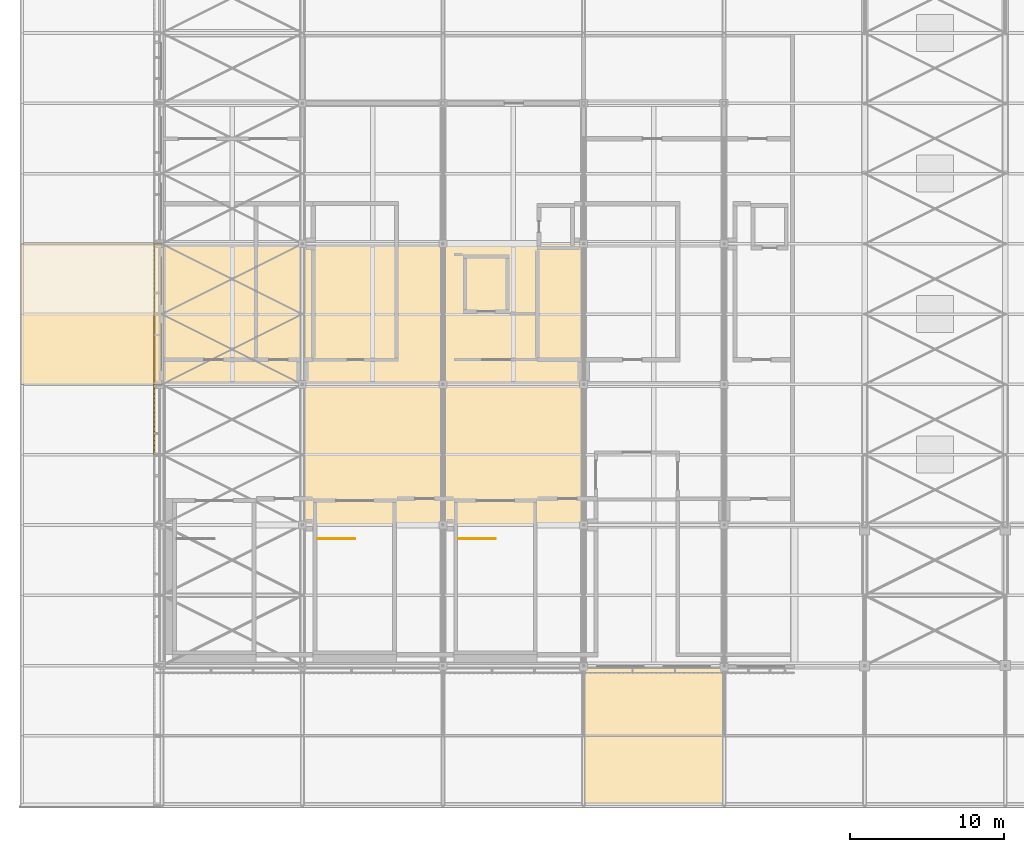
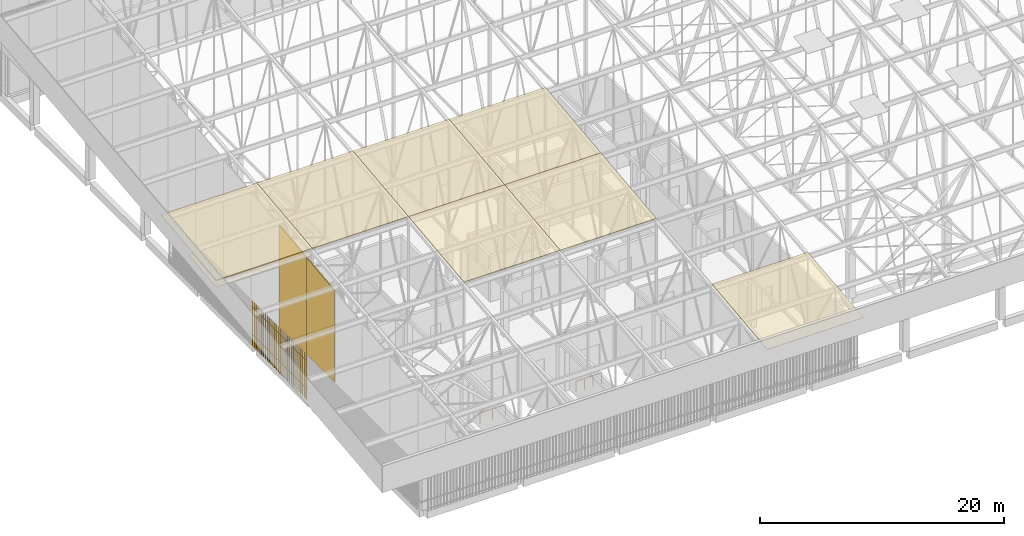
# One storey, part 459 of 500: 8 coverings, 3 shading devices, 2 railings.
"""IFC4 building model written with IfcOpenShell, lengths in metres."""

from ifc_helpers import new_model, si_unit, direction, frame, origin, origin_2d, place, context, subcontext, project, spatial, polyline, rectangle, circle, outline, extrude, material, layer, layer_set, type_object, element, save


model = new_model("IFC4")

# Units and contexts
model_context = context("Model", 3, precision=1e-05, world=origin(), true_north=direction((0.0, 1.0)))
body_context = subcontext(model_context, "Body", "Model", "MODEL_VIEW")
ifc_project = project(units=[si_unit("LENGTHUNIT", "METRE"), si_unit("AREAUNIT", "SQUARE_METRE"), si_unit("VOLUMEUNIT", "CUBIC_METRE"), si_unit("PLANEANGLEUNIT", "RADIAN"), si_unit("MASSUNIT", "GRAM", prefix="KILO")], contexts=[model_context])

# Site, building, storey
site_placement = place(None, origin())
site = spatial("IfcSite", under=ifc_project, at=site_placement, CompositionType="ELEMENT")
building_placement = place(site_placement, origin())
building = spatial("IfcBuilding", under=site, at=building_placement, Name="Shirokan Park Arena", CompositionType="ELEMENT")
storey_placement = place(building_placement, frame((0.0, 0.0, 29.1201171875)))
storey = spatial("IfcBuildingStorey", under=building, at=storey_placement, Name="L06", CompositionType="ELEMENT", Elevation=29.1201171875)

# Coverings
ifc_material_1 = material(Name="Bituminous roofing membrane")
ifc_layer_1 = layer(ifc_material_1, 0.010009765625, Name="Bituminous roofing membrane")
ifc_material_2 = material(Name="Mineral wool insulation")
ifc_layer_2 = layer(ifc_material_2, 0.050048828125, Name="Mineral wool insulation")
ifc_layer_set_1 = layer_set([ifc_layer_1, ifc_layer_2], Name="Bituminous roofing membrane + Mineral wool insulation")
covering_type_1 = type_object("IfcCoveringType", Name="Roofing membrane 60", PredefinedType="ROOFING", material=ifc_layer_set_1)
for number, where, z_axis, x_axis, name in (
    (1, (-9.10009765625, 18.199951171875, 15.0107421875), (0.0, -0.113549598152, 0.993532328996), (1.0, 0.0, 0.0), "Roofing"),
    (2, (0.0, 18.199951171875, 15.0107421875), (0.0, -0.113549598152, 0.993532328996), (1.0, 0.0, 0.0), "Roofing"),
):
    element("IfcCovering", number, at=place(storey_placement, frame(where, z_axis=z_axis, x_axis=x_axis)), inside=storey, type_object=covering_type_1, Name=name, PredefinedType="ROOFING", context=body_context, shape_type="SweptSolid", body=[
        extrude(outline(polyline([(0.0, 0.0), (9.10009765625, 0.0), (9.10009765625, 9.15933723611117), (0.0, 9.15933723611117), (0.0, 0.0)])), origin(), (0.0, 0.0, -1.0), 0.06005859375),
    ])
covering_1_placement = place(storey_placement, frame((9.10009765625, 9.10009765625, 13.970703125), z_axis=(0.0, -0.113552605302, 0.993531985308), x_axis=(1.0, 0.0, 0.0)))
element("IfcCovering", 3, at=covering_1_placement, inside=storey, type_object=covering_type_1, Name="Roofing", PredefinedType="ROOFING", context=body_context, shape_type="SweptSolid", body=[
    extrude(outline(polyline([(0.0, 0.0), (9.099853515625, 0.0), (9.099853515625, 9.159094674549365), (0.0, 9.159094674549365), (0.0, 0.0)])), origin(), (0.0, 0.0, -1.0), 0.06005859375),
])
covering_2_placement = place(storey_placement, frame((9.10009765625, 18.199951171875, 15.0107421875), z_axis=(0.0, -0.113549598152, 0.993532328996), x_axis=(1.0, 0.0, 0.0)))
element("IfcCovering", 4, at=covering_2_placement, inside=storey, type_object=covering_type_1, Name="Roofing", PredefinedType="ROOFING", context=body_context, shape_type="SweptSolid", body=[
    extrude(outline(polyline([(0.0, 0.0), (9.099853515625, 0.0), (9.099853515625, 9.15933723611117), (0.0, 9.15933723611117), (0.0, 0.0)])), origin(), (0.0, 0.0, -1.0), 0.06005859375),
])
covering_3_placement = place(storey_placement, frame((18.199951171875, 9.10009765625, 13.970703125), z_axis=(0.0, -0.113552605302, 0.993531985308), x_axis=(1.0, 0.0, 0.0)))
element("IfcCovering", 5, at=covering_3_placement, inside=storey, type_object=covering_type_1, Name="Roofing", PredefinedType="ROOFING", context=body_context, shape_type="SweptSolid", body=[
    extrude(outline(polyline([(0.0, 0.0), (9.10009765625, 0.0), (9.10009765625, 9.159094674549367), (0.0, 9.159094674549367), (0.0, 0.0)])), origin(), (0.0, 0.0, -1.0), 0.06005859375),
])
covering_4_placement = place(storey_placement, frame((18.199951171875, 18.199951171875, 15.0107421875), z_axis=(0.0, -0.113549598152, 0.993532328996), x_axis=(1.0, 0.0, 0.0)))
element("IfcCovering", 6, at=covering_4_placement, inside=storey, type_object=covering_type_1, Name="Roofing", PredefinedType="ROOFING", context=body_context, shape_type="SweptSolid", body=[
    extrude(outline(polyline([(0.0, 0.0), (9.10009765625, 0.0), (9.10009765625, 9.15933723611117), (0.0, 9.15933723611117), (0.0, 0.0)])), origin(), (0.0, 0.0, -1.0), 0.06005859375),
])
covering_5_placement = place(storey_placement, frame((27.300048828125, -9.10009765625, 11.890625), z_axis=(0.0, -0.113549598152, 0.993532328996), x_axis=(1.0, 0.0, 0.0)))
element("IfcCovering", 7, at=covering_5_placement, inside=storey, type_object=covering_type_1, Name="Roofing", PredefinedType="ROOFING", context=body_context, shape_type="SweptSolid", body=[
    extrude(outline(polyline([(0.0, 0.0), (9.099853515625, 0.0), (9.099853515625, 9.15933723611117), (0.0, 9.15933723611117), (0.0, 0.0)])), origin(), (0.0, 0.0, -1.0), 0.06005859375),
])

# Railings
ifc_material_3 = material(Name="Stainless steel", Category="steel")
railing_type = type_object("IfcRailingType", Name="Stair well guard 1100", PredefinedType="GUARDRAIL", material=ifc_material_3)
railing_1_placement = place(storey_placement, frame((10.10009765625, 8.199951171875, 0.0)))
element("IfcRailing", 8, at=railing_1_placement, inside=storey, type_object=railing_type, Name="Guard Exit Stair 1.B L06", PredefinedType="GUARDRAIL", context=body_context, shape_type="SweptSolid", body=[
    extrude(circle(Radius=0.02490234375, at=origin_2d()), frame((0.0, 0.0, 1.0771484375), z_axis=(1.0, 0.0, 0.0), x_axis=(0.0, 1.0, 0.0)), (0.0, 0.0, 1.0), 2.39990234375),
    extrude(circle(Radius=0.02490234375, at=origin_2d()), origin(), (0.0, 0.0, 1.0), 1.052001953125),
    extrude(circle(Radius=0.02490234375, at=origin_2d()), frame((1.199951171875, 0.0, 0.0)), (0.0, 0.0, 1.0), 1.052001953125),
    extrude(circle(Radius=0.02490234375, at=origin_2d()), frame((2.39990234375, 0.0, 0.0)), (0.0, 0.0, 1.0), 1.052001953125),
])
railing_2_placement = place(storey_placement, frame((19.199951171875, 8.199951171875, 0.0)))
element("IfcRailing", 9, at=railing_2_placement, inside=storey, type_object=railing_type, Name="Guard Exit Stair 1.C L06", PredefinedType="GUARDRAIL", context=body_context, shape_type="SweptSolid", body=[
    extrude(circle(Radius=0.02490234375, at=origin_2d()), frame((0.0, 0.0, 1.0771484375), z_axis=(1.0, 0.0, 0.0), x_axis=(0.0, 1.0, 0.0)), (0.0, 0.0, 1.0), 2.400146484375),
    extrude(circle(Radius=0.02490234375, at=origin_2d()), origin(), (0.0, 0.0, 1.0), 1.052001953125),
    extrude(circle(Radius=0.02490234375, at=origin_2d()), frame((0.800048828125, 0.0, 0.0)), (0.0, 0.0, 1.0), 1.052001953125),
    extrude(circle(Radius=0.02490234375, at=origin_2d()), frame((1.60009765625, 0.0, 0.0)), (0.0, 0.0, 1.0), 1.052001953125),
    extrude(circle(Radius=0.02490234375, at=origin_2d()), frame((2.400146484375, 0.0, 0.0)), (0.0, 0.0, 1.0), 1.052001953125),
])

# Covering
ifc_material_4 = material(Name="Timber soffit boards (cedar)", Category="wood")
ifc_layer_3 = layer(ifc_material_4, 0.030029296875)
ifc_layer_set_2 = layer_set([ifc_layer_3], Name="Timber soffit boards (cedar) 30 mm")
covering_type_2 = type_object("IfcCoveringType", Name="Timber boarded soffit panel", PredefinedType="CLADDING", material=ifc_layer_set_2)
covering_6_placement = place(storey_placement, origin())
element("IfcCovering", 10, at=covering_6_placement, inside=storey, type_object=covering_type_2, Name="Rake soffit west bay 7", PredefinedType="CLADDING", context=body_context, shape_type="SweptSolid", body=[
    extrude(outline(polyline([(0.0, 0.0), (0.11999999999999922, 0.0), (0.11999999999999922, -4.579617887990221), (0.0, -4.579617887990221), (0.0, 0.0)])), frame((-8.97998046875, 18.199951171875, 14.302001953125), z_axis=(0.0, -0.113546591161, 0.993532672656), x_axis=(-1.0, 0.0, 0.0)), (0.0, 0.0, -1.0), 0.030029296875),
    extrude(outline(polyline([(0.0, 0.0), (0.12, 0.0), (0.12, -4.579617887990222), (0.0, -4.579617887990222), (0.0, 0.0)])), frame((-0.2470703125, 22.75, 14.82177734375), z_axis=(0.0, -0.113546591161, 0.993532672656), x_axis=(1.0, 0.0, 0.0)), (0.0, 0.0, -1.0), 0.030029296875),
    extrude(outline(polyline([(0.0, 0.0), (0.12078064455863914, 0.0), (0.12078064455863914, -8.732999999999999), (0.0, -8.732999999999999), (0.0, 0.0)])), frame((-0.2470703125, 22.75, 14.82177734375), z_axis=(0.0, -0.11351156512, 0.993536675007), x_axis=(0.0, -0.993536675007, -0.11351156512)), (0.0, 0.0, -1.0), 0.030029296875),
    extrude(outline(polyline([(0.0, 0.0), (0.12078064455863916, 0.0), (0.12078064455863916, -8.733000000000002), (0.0, -8.733000000000002), (0.0, 0.0)])), frame((-8.97998046875, 18.199951171875, 14.302001953125), z_axis=(0.0, -0.11351156512, 0.993536675007), x_axis=(0.0, 0.993536675007, 0.11351156512)), (0.0, 0.0, -1.0), 0.030029296875),
    extrude(outline(polyline([(0.0, 0.0), (8.733, 0.0), (8.733, -0.18452428160000883), (0.0, -0.18452428160000883), (0.0, 0.0)])), frame((-8.97998046875, 18.50341796875, 14.336669921875), z_axis=(0.0, -0.113589386818, 0.99352778079), x_axis=(1.0, 0.0, 0.0)), (0.0, 0.0, -1.0), 0.030029296875),
    extrude(outline(polyline([(0.0, 0.0), (8.733, 0.0), (8.733, -0.30531372586243316), (0.0, -0.30531372586243316), (0.0, 0.0)])), frame((-8.97998046875, 18.806640625, 14.37109375), z_axis=(0.0, -0.113522573877, 0.993535417195), x_axis=(1.0, 0.0, 0.0)), (0.0, 0.0, -1.0), 0.030029296875),
    extrude(outline(polyline([(0.0, 0.0), (8.733, 0.0), (8.733, -0.30530492593471165), (0.0, -0.30530492593471165), (0.0, 0.0)])), frame((-8.97998046875, 19.110107421875, 14.40576171875), z_axis=(0.0, -0.113558600124, 0.99353130013), x_axis=(1.0, 0.0, 0.0)), (0.0, 0.0, -1.0), 0.030029296875),
    extrude(outline(polyline([(0.0, 0.0), (8.733, 0.0), (8.733, -0.30530492593471087), (0.0, -0.30530492593471087), (0.0, 0.0)])), frame((-8.97998046875, 19.413330078125, 14.440673828125), z_axis=(0.0, -0.113558600124, 0.99353130013), x_axis=(1.0, 0.0, 0.0)), (0.0, 0.0, -1.0), 0.030029296875),
    extrude(outline(polyline([(0.0, 0.0), (8.733, 0.0), (8.733, -0.3053137258624331), (0.0, -0.3053137258624331), (0.0, 0.0)])), frame((-8.97998046875, 19.716552734375, 14.47509765625), z_axis=(0.0, -0.113522573877, 0.993535417195), x_axis=(1.0, 0.0, 0.0)), (0.0, 0.0, -1.0), 0.030029296875),
    extrude(outline(polyline([(0.0, 0.0), (8.733, 0.0), (8.733, -0.30530492593471165), (0.0, -0.30530492593471165), (0.0, 0.0)])), frame((-8.97998046875, 20.02001953125, 14.509765625), z_axis=(0.0, -0.113558600124, 0.99353130013), x_axis=(1.0, 0.0, 0.0)), (0.0, 0.0, -1.0), 0.030029296875),
    extrude(outline(polyline([(0.0, 0.0), (8.733, 0.0), (8.733, -0.30530492593471087), (0.0, -0.30530492593471087), (0.0, 0.0)])), frame((-8.97998046875, 20.3232421875, 14.54443359375), z_axis=(0.0, -0.113558600124, 0.99353130013), x_axis=(1.0, 0.0, 0.0)), (0.0, 0.0, -1.0), 0.030029296875),
    extrude(outline(polyline([(0.0, 0.0), (8.733, 0.0), (8.733, -0.305313725862434), (0.0, -0.305313725862434), (0.0, 0.0)])), frame((-8.97998046875, 20.626708984375, 14.5791015625), z_axis=(0.0, -0.113522573877, 0.993535417195), x_axis=(1.0, 0.0, 0.0)), (0.0, 0.0, -1.0), 0.030029296875),
    extrude(outline(polyline([(0.0, 0.0), (8.733, 0.0), (8.733, -0.30530492593471087), (0.0, -0.30530492593471087), (0.0, 0.0)])), frame((-8.97998046875, 20.929931640625, 14.61376953125), z_axis=(0.0, -0.113558600124, 0.99353130013), x_axis=(1.0, 0.0, 0.0)), (0.0, 0.0, -1.0), 0.030029296875),
    extrude(outline(polyline([(0.0, 0.0), (8.733, 0.0), (8.733, -0.30530492593471087), (0.0, -0.30530492593471087), (0.0, 0.0)])), frame((-8.97998046875, 21.2333984375, 14.6484375), z_axis=(0.0, -0.113558600124, 0.99353130013), x_axis=(1.0, 0.0, 0.0)), (0.0, 0.0, -1.0), 0.030029296875),
    extrude(outline(polyline([(0.0, 0.0), (8.733, 0.0), (8.733, -0.30531372586243394), (0.0, -0.30531372586243394), (0.0, 0.0)])), frame((-8.97998046875, 21.53662109375, 14.68310546875), z_axis=(0.0, -0.113522573877, 0.993535417195), x_axis=(1.0, 0.0, 0.0)), (0.0, 0.0, -1.0), 0.030029296875),
    extrude(outline(polyline([(0.0, 0.0), (8.733, 0.0), (8.733, -0.30530492593471087), (0.0, -0.30530492593471087), (0.0, 0.0)])), frame((-8.97998046875, 21.840087890625, 14.7177734375), z_axis=(0.0, -0.113558600124, 0.99353130013), x_axis=(1.0, 0.0, 0.0)), (0.0, 0.0, -1.0), 0.030029296875),
    extrude(outline(polyline([(0.0, 0.0), (8.733, 0.0), (8.733, -0.30530492593471087), (0.0, -0.30530492593471087), (0.0, 0.0)])), frame((-8.97998046875, 22.143310546875, 14.75244140625), z_axis=(0.0, -0.113558600124, 0.99353130013), x_axis=(1.0, 0.0, 0.0)), (0.0, 0.0, -1.0), 0.030029296875),
    extrude(outline(polyline([(0.0, 0.0), (8.733, 0.0), (8.733, -0.30531372586243394), (0.0, -0.30531372586243394), (0.0, 0.0)])), frame((-8.97998046875, 22.44677734375, 14.787109375), z_axis=(0.0, -0.113522573877, 0.993535417195), x_axis=(1.0, 0.0, 0.0)), (0.0, 0.0, -1.0), 0.030029296875),
    extrude(outline(polyline([(0.0, 0.0), (8.733, 0.0), (8.733, -0.18452428160000803), (0.0, -0.18452428160000803), (0.0, 0.0)])), frame((-8.97998046875, 22.6298828125, 14.80810546875), z_axis=(0.0, -0.113589386818, 0.99352778079), x_axis=(1.0, 0.0, 0.0)), (0.0, 0.0, -1.0), 0.030029296875),
])

# Shading devices
ifc_material_5 = material(Name="Timber louvre veil (cedar)", Category="wood")
shading_device_type_1 = type_object("IfcShadingDeviceType", Name="Timber louvre veil panel", PredefinedType="JALOUSIE", material=ifc_material_5)
shading_device_1_placement = place(storey_placement, origin())
element("IfcShadingDevice", 11, at=shading_device_1_placement, inside=storey, type_object=shading_device_type_1, Name="Timber louvre veil west bay 10 L06", PredefinedType="JALOUSIE", context=body_context, shape_type="SweptSolid", body=[
    extrude(rectangle(XDim=0.050048828125, YDim=0.080078125, at=origin_2d()), frame((-0.485107421875, 27.1484375, 0.0), z_axis=(0.0, 0.0, 1.0), x_axis=(0.0, -1.0, 0.0)), (0.0, 0.0, 1.0), 4.5),
    extrude(rectangle(XDim=0.050048828125, YDim=0.080078125, at=origin_2d()), frame((-0.485107421875, 26.844970703125, 0.0), z_axis=(0.0, 0.0, 1.0), x_axis=(0.0, -1.0, 0.0)), (0.0, 0.0, 1.0), 4.5),
    extrude(rectangle(XDim=0.050048828125, YDim=0.080078125, at=origin_2d()), frame((-0.485107421875, 26.541748046875, 0.0), z_axis=(0.0, 0.0, 1.0), x_axis=(0.0, -1.0, 0.0)), (0.0, 0.0, 1.0), 4.5),
    extrude(rectangle(XDim=0.050048828125, YDim=0.080078125, at=origin_2d()), frame((-0.485107421875, 26.23828125, 0.0), z_axis=(0.0, 0.0, 1.0), x_axis=(0.0, -1.0, 0.0)), (0.0, 0.0, 1.0), 4.5),
    extrude(rectangle(XDim=0.050048828125, YDim=0.080078125, at=origin_2d()), frame((-0.485107421875, 25.93505859375, 0.0), z_axis=(0.0, 0.0, 1.0), x_axis=(0.0, -1.0, 0.0)), (0.0, 0.0, 1.0), 4.5),
    extrude(rectangle(XDim=0.050048828125, YDim=0.080078125, at=origin_2d()), frame((-0.485107421875, 25.631591796875, 0.0), z_axis=(0.0, 0.0, 1.0), x_axis=(0.0, -1.0, 0.0)), (0.0, 0.0, 1.0), 4.5),
    extrude(rectangle(XDim=0.050048828125, YDim=0.080078125, at=origin_2d()), frame((-0.485107421875, 25.328369140625, 0.0), z_axis=(0.0, 0.0, 1.0), x_axis=(0.0, -1.0, 0.0)), (0.0, 0.0, 1.0), 4.5),
    extrude(rectangle(XDim=0.050048828125, YDim=0.080078125, at=origin_2d()), frame((-0.485107421875, 25.02490234375, 0.0), z_axis=(0.0, 0.0, 1.0), x_axis=(0.0, -1.0, 0.0)), (0.0, 0.0, 1.0), 4.5),
    extrude(rectangle(XDim=0.050048828125, YDim=0.080078125, at=origin_2d()), frame((-0.485107421875, 24.7216796875, 0.0), z_axis=(0.0, 0.0, 1.0), x_axis=(0.0, -1.0, 0.0)), (0.0, 0.0, 1.0), 4.5),
    extrude(rectangle(XDim=0.050048828125, YDim=0.080078125, at=origin_2d()), frame((-0.485107421875, 24.418212890625, 0.0), z_axis=(0.0, 0.0, 1.0), x_axis=(0.0, -1.0, 0.0)), (0.0, 0.0, 1.0), 4.5),
    extrude(rectangle(XDim=0.050048828125, YDim=0.080078125, at=origin_2d()), frame((-0.485107421875, 24.114990234375, 0.0), z_axis=(0.0, 0.0, 1.0), x_axis=(0.0, -1.0, 0.0)), (0.0, 0.0, 1.0), 4.5),
    extrude(rectangle(XDim=0.050048828125, YDim=0.080078125, at=origin_2d()), frame((-0.485107421875, 23.811767578125, 0.0), z_axis=(0.0, 0.0, 1.0), x_axis=(0.0, -1.0, 0.0)), (0.0, 0.0, 1.0), 4.5),
    extrude(rectangle(XDim=0.050048828125, YDim=0.080078125, at=origin_2d()), frame((-0.485107421875, 23.50830078125, 0.0), z_axis=(0.0, 0.0, 1.0), x_axis=(0.0, -1.0, 0.0)), (0.0, 0.0, 1.0), 4.5),
    extrude(rectangle(XDim=0.050048828125, YDim=0.080078125, at=origin_2d()), frame((-0.485107421875, 23.205078125, 0.0), z_axis=(0.0, 0.0, 1.0), x_axis=(0.0, -1.0, 0.0)), (0.0, 0.0, 1.0), 4.5),
    extrude(rectangle(XDim=0.050048828125, YDim=0.080078125, at=origin_2d()), frame((-0.485107421875, 22.901611328125, 0.0), z_axis=(0.0, 0.0, 1.0), x_axis=(0.0, -1.0, 0.0)), (0.0, 0.0, 1.0), 4.5),
    extrude(rectangle(XDim=0.050048828125, YDim=0.080078125, at=origin_2d()), frame((-0.485107421875, 22.598388671875, 0.0), z_axis=(0.0, 0.0, 1.0), x_axis=(0.0, -1.0, 0.0)), (0.0, 0.0, 1.0), 4.5),
    extrude(rectangle(XDim=0.050048828125, YDim=0.080078125, at=origin_2d()), frame((-0.485107421875, 22.294921875, 0.0), z_axis=(0.0, 0.0, 1.0), x_axis=(0.0, -1.0, 0.0)), (0.0, 0.0, 1.0), 4.5),
    extrude(rectangle(XDim=0.050048828125, YDim=0.080078125, at=origin_2d()), frame((-0.485107421875, 21.99169921875, 0.0), z_axis=(0.0, 0.0, 1.0), x_axis=(0.0, -1.0, 0.0)), (0.0, 0.0, 1.0), 4.5),
    extrude(rectangle(XDim=0.050048828125, YDim=0.080078125, at=origin_2d()), frame((-0.485107421875, 21.688232421875, 0.0), z_axis=(0.0, 0.0, 1.0), x_axis=(0.0, -1.0, 0.0)), (0.0, 0.0, 1.0), 4.5),
    extrude(rectangle(XDim=0.050048828125, YDim=0.080078125, at=origin_2d()), frame((-0.485107421875, 21.385009765625, 0.0), z_axis=(0.0, 0.0, 1.0), x_axis=(0.0, -1.0, 0.0)), (0.0, 0.0, 1.0), 4.5),
    extrude(rectangle(XDim=0.050048828125, YDim=0.080078125, at=origin_2d()), frame((-0.485107421875, 21.081787109375, 0.0), z_axis=(0.0, 0.0, 1.0), x_axis=(0.0, -1.0, 0.0)), (0.0, 0.0, 1.0), 4.5),
    extrude(rectangle(XDim=0.050048828125, YDim=0.080078125, at=origin_2d()), frame((-0.485107421875, 20.7783203125, 0.0), z_axis=(0.0, 0.0, 1.0), x_axis=(0.0, -1.0, 0.0)), (0.0, 0.0, 1.0), 4.5),
    extrude(rectangle(XDim=0.050048828125, YDim=0.080078125, at=origin_2d()), frame((-0.485107421875, 20.47509765625, 0.0), z_axis=(0.0, 0.0, 1.0), x_axis=(0.0, -1.0, 0.0)), (0.0, 0.0, 1.0), 4.5),
    extrude(rectangle(XDim=0.050048828125, YDim=0.080078125, at=origin_2d()), frame((-0.485107421875, 20.171630859375, 0.0), z_axis=(0.0, 0.0, 1.0), x_axis=(0.0, -1.0, 0.0)), (0.0, 0.0, 1.0), 4.5),
    extrude(rectangle(XDim=0.050048828125, YDim=0.080078125, at=origin_2d()), frame((-0.485107421875, 19.868408203125, 0.0), z_axis=(0.0, 0.0, 1.0), x_axis=(0.0, -1.0, 0.0)), (0.0, 0.0, 1.0), 4.5),
    extrude(rectangle(XDim=0.050048828125, YDim=0.080078125, at=origin_2d()), frame((-0.485107421875, 19.56494140625, 0.0), z_axis=(0.0, 0.0, 1.0), x_axis=(0.0, -1.0, 0.0)), (0.0, 0.0, 1.0), 4.5),
    extrude(rectangle(XDim=0.050048828125, YDim=0.080078125, at=origin_2d()), frame((-0.485107421875, 19.26171875, 0.0), z_axis=(0.0, 0.0, 1.0), x_axis=(0.0, -1.0, 0.0)), (0.0, 0.0, 1.0), 4.5),
    extrude(rectangle(XDim=0.050048828125, YDim=0.080078125, at=origin_2d()), frame((-0.485107421875, 18.958251953125, 0.0), z_axis=(0.0, 0.0, 1.0), x_axis=(0.0, -1.0, 0.0)), (0.0, 0.0, 1.0), 4.5),
    extrude(rectangle(XDim=0.050048828125, YDim=0.080078125, at=origin_2d()), frame((-0.485107421875, 18.655029296875, 0.0), z_axis=(0.0, 0.0, 1.0), x_axis=(0.0, -1.0, 0.0)), (0.0, 0.0, 1.0), 4.5),
    extrude(rectangle(XDim=0.050048828125, YDim=0.080078125, at=origin_2d()), frame((-0.485107421875, 18.3515625, 0.0), z_axis=(0.0, 0.0, 1.0), x_axis=(0.0, -1.0, 0.0)), (0.0, 0.0, 1.0), 4.5),
    extrude(rectangle(XDim=9.10009765625, YDim=0.050048828125, at=origin_2d()), frame((-0.469970703125, 22.75, 1.059814453125), z_axis=(0.0, 0.0, 1.0), x_axis=(0.0, -1.0, 0.0)), (0.0, 0.0, 1.0), 0.080078125),
    extrude(rectangle(XDim=9.10009765625, YDim=0.050048828125, at=origin_2d()), frame((-0.469970703125, 22.75, 3.809814453125), z_axis=(0.0, 0.0, 1.0), x_axis=(0.0, -1.0, 0.0)), (0.0, 0.0, 1.0), 0.080078125),
])
shading_device_type_2 = type_object("IfcShadingDeviceType", Name="Timber louvre veil panel, gable band, closed", PredefinedType="JALOUSIE", material=ifc_material_5)
shading_device_2_placement = place(storey_placement, origin())
element("IfcShadingDevice", 12, at=shading_device_2_placement, inside=storey, type_object=shading_device_type_2, Name="Timber louvre veil gable band west bay 6", PredefinedType="JALOUSIE", context=body_context, shape_type="SweptSolid", body=[
    extrude(outline(polyline([(13.953369140625, 13.751953125), (13.64990234375, 13.751953125), (13.64990234375, 4.575927734375), (18.199951171875, 4.575927734375), (18.199951171875, 14.2373046875), (17.896728515625, 14.2373046875), (17.896728515625, 14.20263671875), (17.59326171875, 14.20263671875), (17.59326171875, 14.16796875), (17.2900390625, 14.16796875), (17.2900390625, 14.13330078125), (16.986572265625, 14.13330078125), (16.986572265625, 14.0986328125), (16.683349609375, 14.0986328125), (16.683349609375, 14.06396484375), (16.3798828125, 14.06396484375), (16.3798828125, 14.029296875), (16.07666015625, 14.029296875), (16.07666015625, 13.99462890625), (15.7734375, 13.99462890625), (15.7734375, 13.9599609375), (15.469970703125, 13.9599609375), (15.469970703125, 13.92529296875), (15.166748046875, 13.92529296875), (15.166748046875, 13.890625), (14.86328125, 13.890625), (14.86328125, 13.85595703125), (14.56005859375, 13.85595703125), (14.56005859375, 13.8212890625), (14.256591796875, 13.8212890625), (14.256591796875, 13.78662109375), (13.953369140625, 13.78662109375), (13.953369140625, 13.751953125)])), frame((-0.525146484375, 0.0, 0.0), z_axis=(1.0, 0.0, 0.0), x_axis=(0.0, 1.0, 0.0)), (0.0, 0.0, 1.0), 0.080078125),
    extrude(rectangle(XDim=0.050048828125, YDim=4.550048828125, at=origin_2d()), frame((-0.469970703125, 15.925048828125, 4.98583984375), z_axis=(0.0, 0.0, 1.0), x_axis=(1.0, 0.0, 0.0)), (0.0, 0.0, 1.0), 0.080078125),
    extrude(rectangle(XDim=0.050048828125, YDim=4.550048828125, at=origin_2d()), frame((-0.469970703125, 15.925048828125, 9.123779296875), z_axis=(0.0, 0.0, 1.0), x_axis=(1.0, 0.0, 0.0)), (0.0, 0.0, 1.0), 0.080078125),
    extrude(rectangle(XDim=0.050048828125, YDim=4.550048828125, at=origin_2d()), frame((-0.469970703125, 15.925048828125, 13.61181640625), z_axis=(0.0, 0.0, 1.0), x_axis=(1.0, 0.0, 0.0)), (0.0, 0.0, 1.0), 0.080078125),
])
shading_device_3_placement = place(storey_placement, origin())
element("IfcShadingDevice", 13, at=shading_device_3_placement, inside=storey, type_object=shading_device_type_2, Name="Timber louvre veil gable band west bay 7", PredefinedType="JALOUSIE", context=body_context, shape_type="SweptSolid", body=[
    extrude(outline(polyline([(18.50341796875, 14.27197265625), (18.199951171875, 14.27197265625), (18.199951171875, 4.575927734375), (22.75, 4.575927734375), (22.75, 14.75732421875), (22.44677734375, 14.75732421875), (22.44677734375, 14.72265625), (22.143310546875, 14.72265625), (22.143310546875, 14.68798828125), (21.840087890625, 14.68798828125), (21.840087890625, 14.6533203125), (21.53662109375, 14.6533203125), (21.53662109375, 14.61865234375), (21.2333984375, 14.61865234375), (21.2333984375, 14.583984375), (20.929931640625, 14.583984375), (20.929931640625, 14.54931640625), (20.626708984375, 14.54931640625), (20.626708984375, 14.5146484375), (20.3232421875, 14.5146484375), (20.3232421875, 14.47998046875), (20.02001953125, 14.47998046875), (20.02001953125, 14.4453125), (19.716552734375, 14.4453125), (19.716552734375, 14.41064453125), (19.413330078125, 14.41064453125), (19.413330078125, 14.3759765625), (19.110107421875, 14.3759765625), (19.110107421875, 14.34130859375), (18.806640625, 14.34130859375), (18.806640625, 14.306640625), (18.50341796875, 14.306640625), (18.50341796875, 14.27197265625)])), frame((-0.525146484375, 0.0, 0.0), z_axis=(1.0, 0.0, 0.0), x_axis=(0.0, 1.0, 0.0)), (0.0, 0.0, 1.0), 0.080078125),
    extrude(rectangle(XDim=0.050048828125, YDim=4.550048828125, at=origin_2d()), frame((-0.469970703125, 20.47509765625, 4.98583984375), z_axis=(0.0, 0.0, 1.0), x_axis=(1.0, 0.0, 0.0)), (0.0, 0.0, 1.0), 0.080078125),
    extrude(rectangle(XDim=0.050048828125, YDim=4.550048828125, at=origin_2d()), frame((-0.469970703125, 20.47509765625, 9.3837890625), z_axis=(0.0, 0.0, 1.0), x_axis=(1.0, 0.0, 0.0)), (0.0, 0.0, 1.0), 0.080078125),
    extrude(rectangle(XDim=0.050048828125, YDim=4.550048828125, at=origin_2d()), frame((-0.469970703125, 20.47509765625, 14.1318359375), z_axis=(0.0, 0.0, 1.0), x_axis=(1.0, 0.0, 0.0)), (0.0, 0.0, 1.0), 0.080078125),
])

save(model, "model.ifc")
